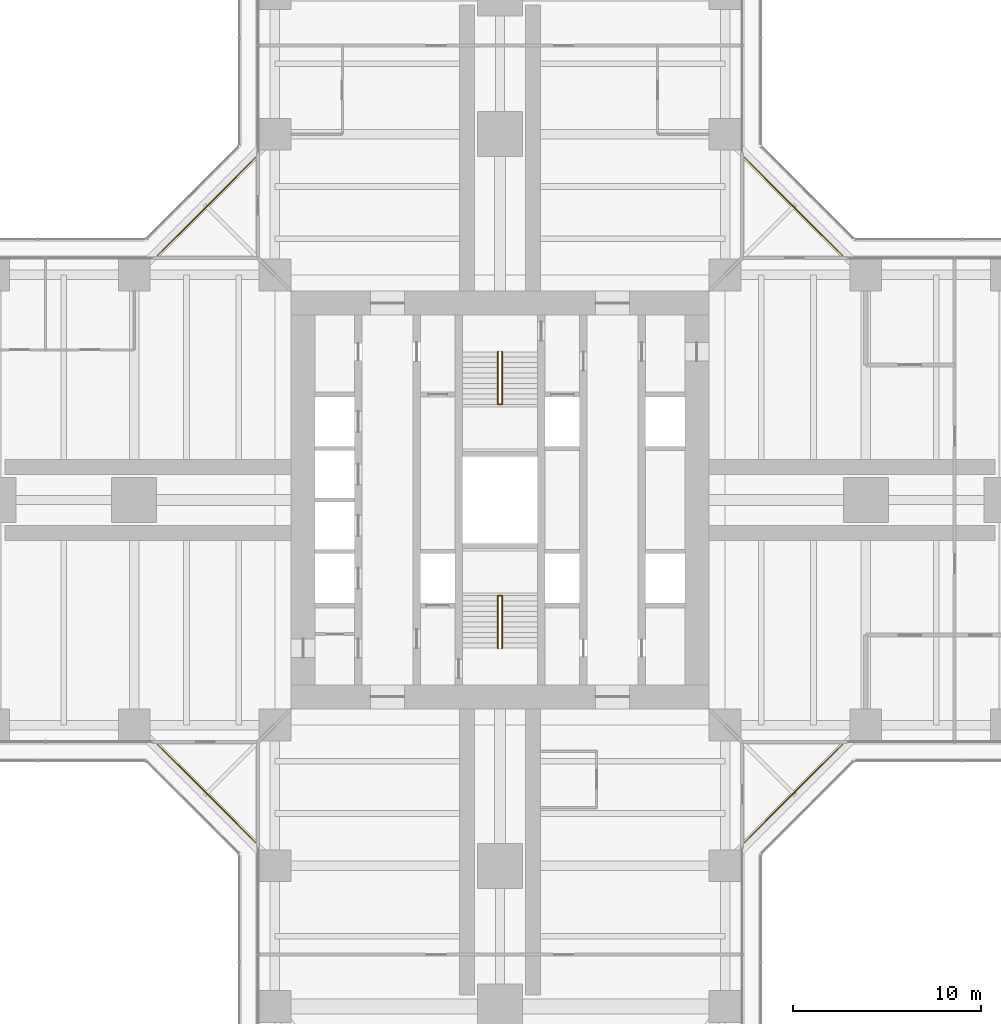
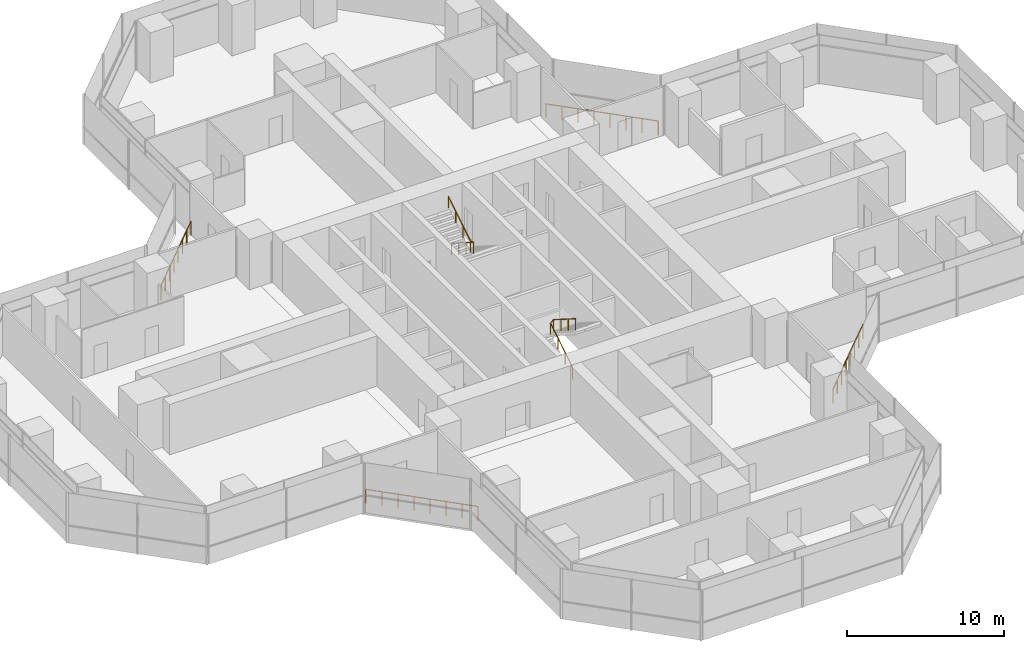
# One storey, part 22 of 22: 6 railings.
"""IFC4 building model written with IfcOpenShell, lengths in metres."""

from ifc_helpers import new_model, si_unit, direction, frame, origin, origin_2d, place, context, subcontext, project, spatial, circle, extrude, material, type_object, element, save


model = new_model("IFC4")

# Units and contexts
model_context = context("Model", 3, precision=1e-05, world=origin(), true_north=direction((0.0, 1.0)))
body_context = subcontext(model_context, "Body", "Model", "MODEL_VIEW")
ifc_project = project(units=[si_unit("LENGTHUNIT", "METRE"), si_unit("AREAUNIT", "SQUARE_METRE"), si_unit("VOLUMEUNIT", "CUBIC_METRE"), si_unit("PLANEANGLEUNIT", "RADIAN"), si_unit("MASSUNIT", "GRAM", prefix="KILO")], contexts=[model_context])

# Site, building, storey
site_placement = place(None, origin())
site = spatial("IfcSite", under=ifc_project, at=site_placement, CompositionType="ELEMENT")
building_placement = place(site_placement, origin())
building = spatial("IfcBuilding", under=site, at=building_placement, Name="Mizan Broadcast Tower", CompositionType="ELEMENT")
storey_placement = place(building_placement, frame((0.0, 0.0, 82.5)))
storey = spatial("IfcBuildingStorey", under=building, at=storey_placement, Name="L17", CompositionType="ELEMENT", Elevation=82.5)

# Railings
ifc_material_1 = material(Name="Stainless steel and glass guard", Category="steel")
railing_type_1 = type_object("IfcRailingType", Name="GUARD 1100", PredefinedType="GUARDRAIL", material=ifc_material_1)
railing_1_placement = place(storey_placement, frame((18.2578125, 13.030029296875, 0.0)))
element("IfcRailing", 1, at=railing_1_placement, inside=storey, type_object=railing_type_1, Name="Winter garden guard L17 E", PredefinedType="GUARDRAIL", context=body_context, shape_type="SweptSolid", body=[
    extrude(circle(Radius=0.02392578125, at=origin_2d()), frame((0.0, 0.0, 1.076171875), z_axis=(-0.707106781187, 0.707106781187, 0.0), x_axis=(-0.707106781187, -0.707106781187, 0.0)), (0.0, 0.0, 1.0), 7.393310546875),
    extrude(circle(Radius=0.02099609375, at=origin_2d()), origin(), (0.0, 0.0, 1.0), 1.052001953125),
    extrude(circle(Radius=0.02099609375, at=origin_2d()), frame((-0.746826171875, 0.746826171875, 0.0)), (0.0, 0.0, 1.0), 1.052001953125),
    extrude(circle(Radius=0.02099609375, at=origin_2d()), frame((-1.49365234375, 1.49365234375, 0.0)), (0.0, 0.0, 1.0), 1.052001953125),
    extrude(circle(Radius=0.02099609375, at=origin_2d()), frame((-2.240478515625, 2.240478515625, 0.0)), (0.0, 0.0, 1.0), 1.052001953125),
    extrude(circle(Radius=0.02099609375, at=origin_2d()), frame((-2.9873046875, 2.9873046875, 0.0)), (0.0, 0.0, 1.0), 1.052001953125),
    extrude(circle(Radius=0.02099609375, at=origin_2d()), frame((-3.734130859375, 3.734130859375, 0.0)), (0.0, 0.0, 1.0), 1.052001953125),
    extrude(circle(Radius=0.02099609375, at=origin_2d()), frame((-4.48095703125, 4.48095703125, 0.0)), (0.0, 0.0, 1.0), 1.052001953125),
    extrude(circle(Radius=0.02099609375, at=origin_2d()), frame((-5.227783203125, 5.227783203125, 0.0)), (0.0, 0.0, 1.0), 1.052001953125),
])
railing_2_placement = place(storey_placement, frame((-13.030029296875, 18.2578125, 0.0)))
element("IfcRailing", 2, at=railing_2_placement, inside=storey, type_object=railing_type_1, Name="Winter garden guard L17 N", PredefinedType="GUARDRAIL", context=body_context, shape_type="SweptSolid", body=[
    extrude(circle(Radius=0.02392578125, at=origin_2d()), frame((0.0, 0.0, 1.076171875), z_axis=(-0.707106781187, -0.707106781187, 0.0), x_axis=(0.707106781187, -0.707106781187, 0.0)), (0.0, 0.0, 1.0), 7.393310546875),
    extrude(circle(Radius=0.02099609375, at=origin_2d()), origin(), (0.0, 0.0, 1.0), 1.052001953125),
    extrude(circle(Radius=0.02099609375, at=origin_2d()), frame((-0.746826171875, -0.746826171875, 0.0)), (0.0, 0.0, 1.0), 1.052001953125),
    extrude(circle(Radius=0.02099609375, at=origin_2d()), frame((-1.49365234375, -1.49365234375, 0.0)), (0.0, 0.0, 1.0), 1.052001953125),
    extrude(circle(Radius=0.02099609375, at=origin_2d()), frame((-2.240478515625, -2.240478515625, 0.0)), (0.0, 0.0, 1.0), 1.052001953125),
    extrude(circle(Radius=0.02099609375, at=origin_2d()), frame((-2.9873046875, -2.9873046875, 0.0)), (0.0, 0.0, 1.0), 1.052001953125),
    extrude(circle(Radius=0.02099609375, at=origin_2d()), frame((-3.734130859375, -3.734130859375, 0.0)), (0.0, 0.0, 1.0), 1.052001953125),
    extrude(circle(Radius=0.02099609375, at=origin_2d()), frame((-4.48095703125, -4.48095703125, 0.0)), (0.0, 0.0, 1.0), 1.052001953125),
    extrude(circle(Radius=0.02099609375, at=origin_2d()), frame((-5.227783203125, -5.227783203125, 0.0)), (0.0, 0.0, 1.0), 1.052001953125),
])
railing_3_placement = place(storey_placement, frame((-18.2578125, -13.030029296875, 0.0)))
element("IfcRailing", 3, at=railing_3_placement, inside=storey, type_object=railing_type_1, Name="Winter garden guard L17 W", PredefinedType="GUARDRAIL", context=body_context, shape_type="SweptSolid", body=[
    extrude(circle(Radius=0.02392578125, at=origin_2d()), frame((0.0, 0.0, 1.076171875), z_axis=(0.707106781187, -0.707106781187, 0.0), x_axis=(0.707106781187, 0.707106781187, 0.0)), (0.0, 0.0, 1.0), 7.393310546875),
    extrude(circle(Radius=0.02099609375, at=origin_2d()), origin(), (0.0, 0.0, 1.0), 1.052001953125),
    extrude(circle(Radius=0.02099609375, at=origin_2d()), frame((0.746826171875, -0.746826171875, 0.0)), (0.0, 0.0, 1.0), 1.052001953125),
    extrude(circle(Radius=0.02099609375, at=origin_2d()), frame((1.49365234375, -1.49365234375, 0.0)), (0.0, 0.0, 1.0), 1.052001953125),
    extrude(circle(Radius=0.02099609375, at=origin_2d()), frame((2.240478515625, -2.240478515625, 0.0)), (0.0, 0.0, 1.0), 1.052001953125),
    extrude(circle(Radius=0.02099609375, at=origin_2d()), frame((2.9873046875, -2.9873046875, 0.0)), (0.0, 0.0, 1.0), 1.052001953125),
    extrude(circle(Radius=0.02099609375, at=origin_2d()), frame((3.734130859375, -3.734130859375, 0.0)), (0.0, 0.0, 1.0), 1.052001953125),
    extrude(circle(Radius=0.02099609375, at=origin_2d()), frame((4.48095703125, -4.48095703125, 0.0)), (0.0, 0.0, 1.0), 1.052001953125),
    extrude(circle(Radius=0.02099609375, at=origin_2d()), frame((5.227783203125, -5.227783203125, 0.0)), (0.0, 0.0, 1.0), 1.052001953125),
])
railing_4_placement = place(storey_placement, frame((13.030029296875, -18.2578125, 0.0)))
element("IfcRailing", 4, at=railing_4_placement, inside=storey, type_object=railing_type_1, Name="Winter garden guard L17 S", PredefinedType="GUARDRAIL", context=body_context, shape_type="SweptSolid", body=[
    extrude(circle(Radius=0.02392578125, at=origin_2d()), frame((0.0, 0.0, 1.076171875), z_axis=(0.707106781187, 0.707106781187, 0.0), x_axis=(-0.707106781187, 0.707106781187, 0.0)), (0.0, 0.0, 1.0), 7.393310546875),
    extrude(circle(Radius=0.02099609375, at=origin_2d()), origin(), (0.0, 0.0, 1.0), 1.052001953125),
    extrude(circle(Radius=0.02099609375, at=origin_2d()), frame((0.746826171875, 0.746826171875, 0.0)), (0.0, 0.0, 1.0), 1.052001953125),
    extrude(circle(Radius=0.02099609375, at=origin_2d()), frame((1.49365234375, 1.49365234375, 0.0)), (0.0, 0.0, 1.0), 1.052001953125),
    extrude(circle(Radius=0.02099609375, at=origin_2d()), frame((2.240478515625, 2.240478515625, 0.0)), (0.0, 0.0, 1.0), 1.052001953125),
    extrude(circle(Radius=0.02099609375, at=origin_2d()), frame((2.9873046875, 2.9873046875, 0.0)), (0.0, 0.0, 1.0), 1.052001953125),
    extrude(circle(Radius=0.02099609375, at=origin_2d()), frame((3.734130859375, 3.734130859375, 0.0)), (0.0, 0.0, 1.0), 1.052001953125),
    extrude(circle(Radius=0.02099609375, at=origin_2d()), frame((4.48095703125, 4.48095703125, 0.0)), (0.0, 0.0, 1.0), 1.052001953125),
    extrude(circle(Radius=0.02099609375, at=origin_2d()), frame((5.227783203125, 5.227783203125, 0.0)), (0.0, 0.0, 1.0), 1.052001953125),
])
ifc_material_2 = material(Name="Stainless steel", Category="steel")
railing_type_2 = type_object("IfcRailingType", Name="HANDRAIL 50", PredefinedType="HANDRAIL", material=ifc_material_2)
railing_5_placement = place(storey_placement, frame((-0.110107421875, -7.89990234375, 0.17724609375)))
element("IfcRailing", 5, at=railing_5_placement, inside=storey, type_object=railing_type_2, Name="Stair A handrail", PredefinedType="HANDRAIL", context=body_context, shape_type="SweptSolid", body=[
    extrude(circle(Radius=0.02392578125, at=origin_2d()), frame((0.0, 0.0, 0.8759765625), z_axis=(0.0, 0.844887892834, 0.53494340686), x_axis=(-1.0, 0.0, 0.0)), (0.0, 0.0, 1.0), 3.313720703125),
    extrude(circle(Radius=0.02392578125, at=origin_2d()), frame((0.0, 2.7998046875, 2.6484375), z_axis=(0.779011685263, 0.0, 0.627009405212), x_axis=(0.0, 1.0, 0.0)), (0.0, 0.0, 1.0), 0.28271484375),
    extrude(circle(Radius=0.02392578125, at=origin_2d()), frame((0.22021484375, 2.7998046875, 2.82568359375), z_axis=(0.0, -0.844887892834, 0.53494340686), x_axis=(1.0, 0.0, 0.0)), (0.0, 0.0, 1.0), 3.313720703125),
    extrude(circle(Radius=0.02099609375, at=origin_2d()), origin(), (0.0, 0.0, 1.0), 0.851806640625),
    extrude(circle(Radius=0.02099609375, at=origin_2d()), frame((0.0, 0.933349609375, 0.5908203125)), (0.0, 0.0, 1.0), 0.851806640625),
    extrude(circle(Radius=0.02099609375, at=origin_2d()), frame((0.0, 1.866455078125, 1.181884765625)), (0.0, 0.0, 1.0), 0.851806640625),
    extrude(circle(Radius=0.02099609375, at=origin_2d()), frame((0.0, 2.7998046875, 1.772705078125)), (0.0, 0.0, 1.0), 0.851806640625),
    extrude(circle(Radius=0.02099609375, at=origin_2d()), frame((0.22021484375, 2.7998046875, 1.949951171875)), (0.0, 0.0, 1.0), 0.851806640625),
    extrude(circle(Radius=0.02099609375, at=origin_2d()), frame((0.22021484375, 1.866455078125, 2.540771484375)), (0.0, 0.0, 1.0), 0.851806640625),
    extrude(circle(Radius=0.02099609375, at=origin_2d()), frame((0.22021484375, 0.933349609375, 3.1318359375)), (0.0, 0.0, 1.0), 0.851806640625),
    extrude(circle(Radius=0.02099609375, at=origin_2d()), frame((0.22021484375, 0.0, 3.72265625)), (0.0, 0.0, 1.0), 0.851806640625),
])
railing_6_placement = place(storey_placement, frame((0.110107421875, 7.89990234375, 0.17724609375)))
element("IfcRailing", 6, at=railing_6_placement, inside=storey, type_object=railing_type_2, Name="Stair B handrail", PredefinedType="HANDRAIL", context=body_context, shape_type="SweptSolid", body=[
    extrude(circle(Radius=0.02392578125, at=origin_2d()), frame((0.0, 0.0, 0.8759765625), z_axis=(0.0, -0.844887892834, 0.53494340686), x_axis=(1.0, 0.0, 0.0)), (0.0, 0.0, 1.0), 3.313720703125),
    extrude(circle(Radius=0.02392578125, at=origin_2d()), frame((0.0, -2.7998046875, 2.6484375), z_axis=(-0.779011685263, 0.0, 0.627009405212), x_axis=(0.0, -1.0, 0.0)), (0.0, 0.0, 1.0), 0.28271484375),
    extrude(circle(Radius=0.02392578125, at=origin_2d()), frame((-0.22021484375, -2.7998046875, 2.82568359375), z_axis=(0.0, 0.844887892834, 0.53494340686), x_axis=(-1.0, 0.0, 0.0)), (0.0, 0.0, 1.0), 3.313720703125),
    extrude(circle(Radius=0.02099609375, at=origin_2d()), origin(), (0.0, 0.0, 1.0), 0.851806640625),
    extrude(circle(Radius=0.02099609375, at=origin_2d()), frame((0.0, -0.933349609375, 0.5908203125)), (0.0, 0.0, 1.0), 0.851806640625),
    extrude(circle(Radius=0.02099609375, at=origin_2d()), frame((0.0, -1.866455078125, 1.181884765625)), (0.0, 0.0, 1.0), 0.851806640625),
    extrude(circle(Radius=0.02099609375, at=origin_2d()), frame((0.0, -2.7998046875, 1.772705078125)), (0.0, 0.0, 1.0), 0.851806640625),
    extrude(circle(Radius=0.02099609375, at=origin_2d()), frame((-0.22021484375, -2.7998046875, 1.949951171875)), (0.0, 0.0, 1.0), 0.851806640625),
    extrude(circle(Radius=0.02099609375, at=origin_2d()), frame((-0.22021484375, -1.866455078125, 2.540771484375)), (0.0, 0.0, 1.0), 0.851806640625),
    extrude(circle(Radius=0.02099609375, at=origin_2d()), frame((-0.22021484375, -0.933349609375, 3.1318359375)), (0.0, 0.0, 1.0), 0.851806640625),
    extrude(circle(Radius=0.02099609375, at=origin_2d()), frame((-0.22021484375, 0.0, 3.72265625)), (0.0, 0.0, 1.0), 0.851806640625),
])

save(model, "model.ifc")
